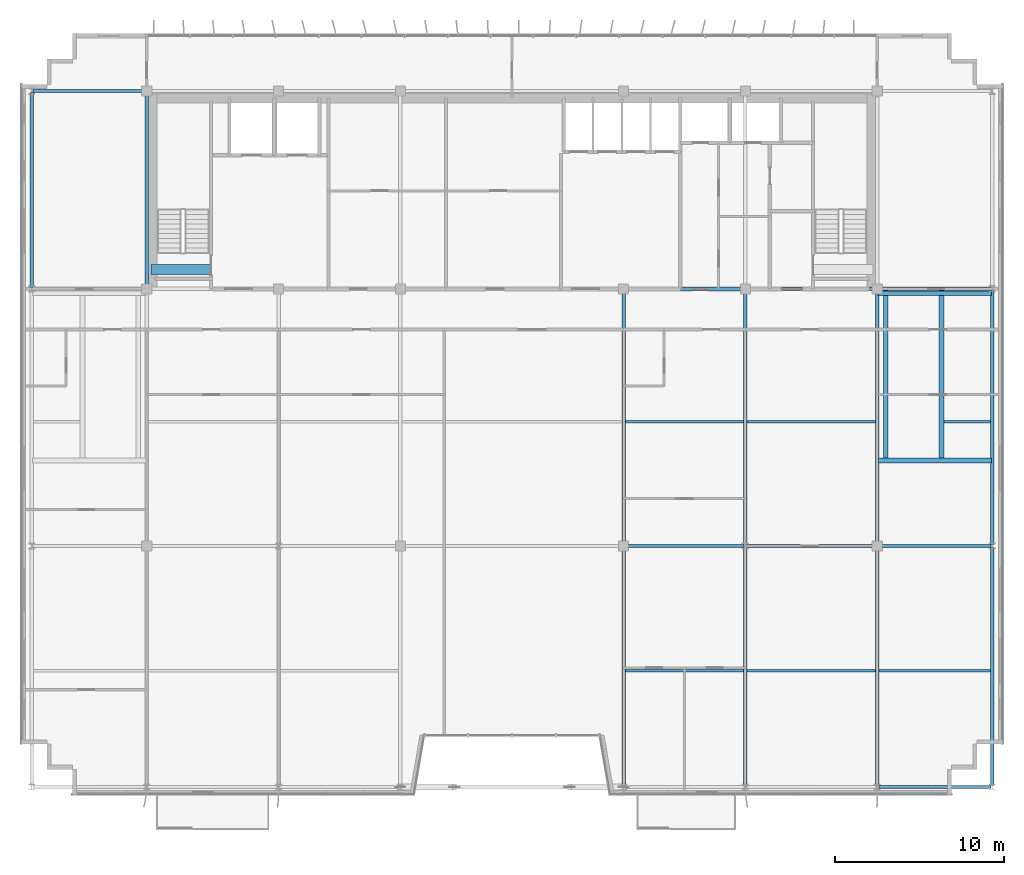
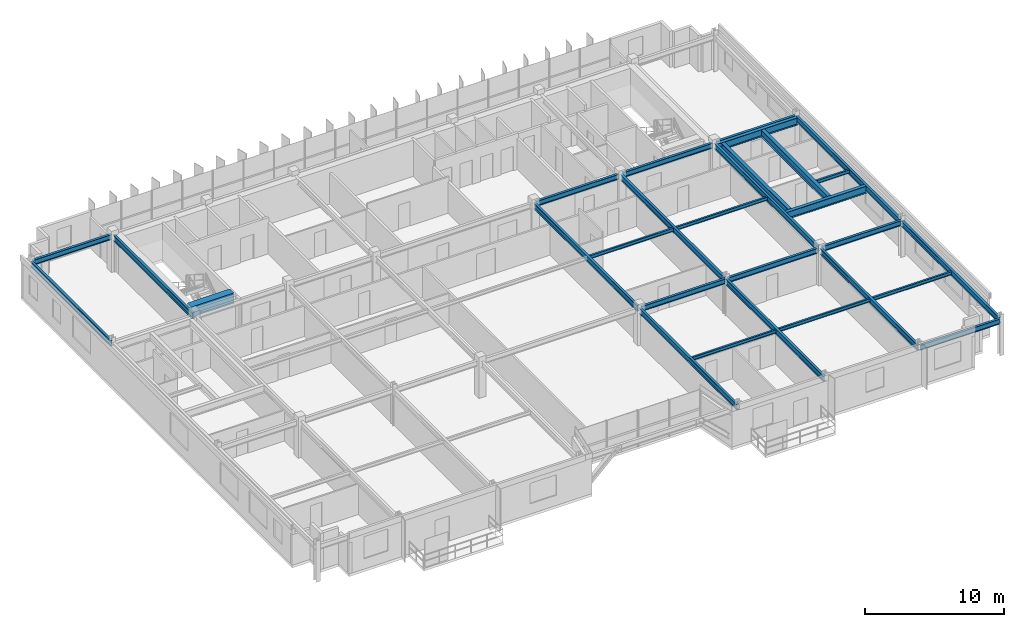
# One storey, part 9 of 26: 29 beams.
"""IFC4 building model written with IfcOpenShell, lengths in metres."""

from ifc_helpers import new_model, si_unit, direction, frame, origin, origin_2d, place, context, subcontext, project, spatial, rectangle, i_section, extrude, source, transform, mapped, material, material_profile, profile_set, type_object, element, save


model = new_model("IFC4")

# Units and contexts
model_context = context("Model", 3, precision=1e-05, world=origin(), true_north=direction((0.0, 1.0)))
body_context = subcontext(model_context, "Body", "Model", "MODEL_VIEW")
ifc_project = project(units=[si_unit("LENGTHUNIT", "METRE"), si_unit("AREAUNIT", "SQUARE_METRE"), si_unit("VOLUMEUNIT", "CUBIC_METRE"), si_unit("PLANEANGLEUNIT", "RADIAN"), si_unit("MASSUNIT", "GRAM", prefix="KILO")], contexts=[model_context])

# Site, building, storey
site_placement = place(None, origin())
site = spatial("IfcSite", under=ifc_project, at=site_placement, CompositionType="ELEMENT")
building_placement = place(site_placement, origin())
building = spatial("IfcBuilding", under=site, at=building_placement, Name="Trelvane Seafront Commons", CompositionType="ELEMENT")
storey_placement = place(building_placement, frame((0.0, 0.0, 291.89990234375)))
storey = spatial("IfcBuildingStorey", under=building, at=storey_placement, Name="L76", CompositionType="ELEMENT", Elevation=291.89990234375)

# Beams
ifc_material_1 = material(Name="Concrete C60/75", Category="concrete")
ifc_material_profile_1 = material_profile(ifc_material_1, rectangle(XDim=0.60009765625, YDim=0.89990234375, at=origin_2d()), Name="RC-600x900")
ifc_profile_set_1 = profile_set([ifc_material_profile_1], Name="Concrete C60/75")
beam_type_1 = type_object("IfcBeamType", Name="STR-LNT-RC600x900", PredefinedType="LINTEL", material=ifc_profile_set_1)
shared_shape_1 = source(origin(), body_context, "Body", "SweptSolid", [
    extrude(rectangle(XDim=0.60009765625, YDim=0.89990234375, at=origin_2d()), origin(), (0.0, 0.0, 1.0), 3.5498046875),
])
beam_1_placement = place(storey_placement, frame((15.85009765625, 34.550048828125, 2.72998046875), z_axis=(1.0, 0.0, 0.0), x_axis=(0.0, 1.0, 0.0)))
element("IfcBeam", 1, at=beam_1_placement, inside=storey, type_object=beam_type_1, Name="L76 Core Coupling Lintel Beam CB-66", PredefinedType="LINTEL", context=body_context, shape_type="MappedRepresentation", body=[
    mapped(shared_shape_1, transform((0.0, 0.0, 0.0), x_axis=(1.0, 0.0, 0.0), y_axis=(0.0, 1.0, 0.0), z_axis=(0.0, 0.0, 1.0), scale=1.0)),
])
ifc_material_2 = material(Name="Steel SM355 (S355)", Category="steel")
ifc_material_profile_2 = material_profile(ifc_material_2, i_section(OverallWidth=0.199951171875, OverallDepth=0.5, WebThickness=0.010009765625, FlangeThickness=0.01611328125, at=origin_2d()), Name="H-500x200x10x16")
ifc_profile_set_2 = profile_set([ifc_material_profile_2], Name="Steel SM355 (S355)")
beam_type_2 = type_object("IfcBeamType", Name="STR-BM-H500", PredefinedType="BEAM", material=ifc_profile_set_2)
shared_shape_2 = source(origin(), body_context, "Body", "SweptSolid", [
    extrude(i_section(OverallWidth=0.199951171875, OverallDepth=0.5, WebThickness=0.010009765625, FlangeThickness=0.01611328125, at=origin_2d()), origin(), (0.0, 0.0, 1.0), 14.89990234375),
])
for number, where, z_axis, x_axis, name in (
    (2, (43.800048828125, 18.35009765625, 2.93017578125), (0.0, 1.0, 0.0), (-1.0, 0.0, 0.0), "L76 Primary Girder G-42"),
    (3, (58.800048828125, 18.35009765625, 2.93017578125), (0.0, 1.0, 0.0), (-1.0, 0.0, 0.0), "L76 Primary Girder G-48"),
):
    element("IfcBeam", number, at=place(storey_placement, frame(where, z_axis=z_axis, x_axis=x_axis)), inside=storey, type_object=beam_type_2, Name=name, PredefinedType="BEAM", context=body_context, shape_type="MappedRepresentation", body=[
        mapped(shared_shape_2, transform((0.0, 0.0, 0.0), x_axis=(1.0, 0.0, 0.0), y_axis=(0.0, 1.0, 0.0), z_axis=(0.0, 0.0, 1.0), scale=1.0)),
    ])
shared_shape_3 = source(origin(), body_context, "Body", "SweptSolid", [
    extrude(i_section(OverallWidth=0.199951171875, OverallDepth=0.5, WebThickness=0.010009765625, FlangeThickness=0.01611328125, at=origin_2d()), origin(), (0.0, 0.0, 1.0), 11.39990234375),
])
beam_2_placement = place(storey_placement, frame((15.60009765625, 33.550048828125, 2.93017578125), z_axis=(0.0, 1.0, 0.0), x_axis=(-1.0, 0.0, 0.0)))
element("IfcBeam", 4, at=beam_2_placement, inside=storey, type_object=beam_type_2, Name="L76 Primary Girder G-34", PredefinedType="BEAM", context=body_context, shape_type="MappedRepresentation", body=[
    mapped(shared_shape_3, transform((0.0, 0.0, 0.0), x_axis=(1.0, 0.0, 0.0), y_axis=(0.0, 1.0, 0.0), z_axis=(0.0, 0.0, 1.0), scale=1.0)),
])
ifc_material_profile_3 = material_profile(ifc_material_2, i_section(OverallWidth=0.199951171875, OverallDepth=0.449951171875, WebThickness=0.009033203125, FlangeThickness=0.013916015625, at=origin_2d()), Name="H-450x200x9x14")
ifc_profile_set_3 = profile_set([ifc_material_profile_3], Name="Steel SM355 (S355)")
beam_type_3 = type_object("IfcBeamType", Name="STR-SPD-H450", PredefinedType="SPANDREL", material=ifc_profile_set_3)
shared_shape_4 = source(origin(), body_context, "Body", "SweptSolid", [
    extrude(i_section(OverallWidth=0.199951171875, OverallDepth=0.449951171875, WebThickness=0.009033203125, FlangeThickness=0.013916015625, at=origin_2d()), origin(), (0.0, 0.0, 1.0), 6.625),
])
beam_3_placement = place(storey_placement, frame((58.887451171875, 3.949951171875, 2.955078125), z_axis=(1.0, 0.0, 0.0), x_axis=(0.0, 1.0, 0.0)))
element("IfcBeam", 5, at=beam_3_placement, inside=storey, type_object=beam_type_3, Name="L76 Primary Girder G-07", PredefinedType="SPANDREL", context=body_context, shape_type="MappedRepresentation", body=[
    mapped(shared_shape_4, transform((0.0, 0.0, 0.0), x_axis=(1.0, 0.0, 0.0), y_axis=(0.0, 1.0, 0.0), z_axis=(0.0, 0.0, 1.0), scale=1.0)),
])
shared_shape_5 = source(origin(), body_context, "Body", "SweptSolid", [
    extrude(i_section(OverallWidth=0.199951171875, OverallDepth=0.449951171875, WebThickness=0.009033203125, FlangeThickness=0.013916015625, at=origin_2d()), origin(), (0.0, 0.0, 1.0), 6.5625),
])
for number, where, z_axis, x_axis, name in (
    (6, (58.949951171875, 18.199951171875, 2.955078125), (1.0, 0.0, 0.0), (0.0, 1.0, 0.0), "L76 Primary Girder G-14"),
    (7, (58.949951171875, 33.39990234375, 2.955078125), (1.0, 0.0, 0.0), (0.0, 1.0, 0.0), "L76 Primary Girder G-21"),
    (8, (8.887451171875, 45.10009765625, 2.955078125), (1.0, 0.0, 0.0), (0.0, 1.0, 0.0), "L76 Primary Girder G-22"),
):
    element("IfcBeam", number, at=place(storey_placement, frame(where, z_axis=z_axis, x_axis=x_axis)), inside=storey, type_object=beam_type_3, Name=name, PredefinedType="SPANDREL", context=body_context, shape_type="MappedRepresentation", body=[
        mapped(shared_shape_5, transform((0.0, 0.0, 0.0), x_axis=(1.0, 0.0, 0.0), y_axis=(0.0, 1.0, 0.0), z_axis=(0.0, 0.0, 1.0), scale=1.0)),
    ])
shared_shape_6 = source(origin(), body_context, "Body", "SweptSolid", [
    extrude(i_section(OverallWidth=0.199951171875, OverallDepth=0.449951171875, WebThickness=0.009033203125, FlangeThickness=0.013916015625, at=origin_2d()), origin(), (0.0, 0.0, 1.0), 7.5625),
])
beam_4_placement = place(storey_placement, frame((51.08740234375, 18.199951171875, 2.955078125), z_axis=(1.0, 0.0, 0.0), x_axis=(0.0, 1.0, 0.0)))
element("IfcBeam", 9, at=beam_4_placement, inside=storey, type_object=beam_type_3, Name="L76 Primary Girder G-13", PredefinedType="SPANDREL", context=body_context, shape_type="MappedRepresentation", body=[
    mapped(shared_shape_6, transform((0.0, 0.0, 0.0), x_axis=(1.0, 0.0, 0.0), y_axis=(0.0, 1.0, 0.0), z_axis=(0.0, 0.0, 1.0), scale=1.0)),
])
shared_shape_7 = source(origin(), body_context, "Body", "SweptSolid", [
    extrude(i_section(OverallWidth=0.199951171875, OverallDepth=0.449951171875, WebThickness=0.009033203125, FlangeThickness=0.013916015625, at=origin_2d()), origin(), (0.0, 0.0, 1.0), 6.962646484375),
])
beam_5_placement = place(storey_placement, frame((43.949951171875, 18.199951171875, 2.955078125), z_axis=(1.0, 0.0, 0.0), x_axis=(0.0, 1.0, 0.0)))
element("IfcBeam", 10, at=beam_5_placement, inside=storey, type_object=beam_type_3, Name="L76 Primary Girder G-12", PredefinedType="SPANDREL", context=body_context, shape_type="MappedRepresentation", body=[
    mapped(shared_shape_7, transform((0.0, 0.0, 0.0), x_axis=(1.0, 0.0, 0.0), y_axis=(0.0, 1.0, 0.0), z_axis=(0.0, 0.0, 1.0), scale=1.0)),
])
shared_shape_8 = source(origin(), body_context, "Body", "SweptSolid", [
    extrude(i_section(OverallWidth=0.199951171875, OverallDepth=0.449951171875, WebThickness=0.009033203125, FlangeThickness=0.013916015625, at=origin_2d()), origin(), (0.0, 0.0, 1.0), 7.5),
])
beam_6_placement = place(storey_placement, frame((51.14990234375, 33.39990234375, 2.955078125), z_axis=(1.0, 0.0, 0.0), x_axis=(0.0, 1.0, 0.0)))
element("IfcBeam", 11, at=beam_6_placement, inside=storey, type_object=beam_type_3, Name="L76 Primary Girder G-20", PredefinedType="SPANDREL", context=body_context, shape_type="MappedRepresentation", body=[
    mapped(shared_shape_8, transform((0.0, 0.0, 0.0), x_axis=(1.0, 0.0, 0.0), y_axis=(0.0, 1.0, 0.0), z_axis=(0.0, 0.0, 1.0), scale=1.0)),
])
shared_shape_9 = source(origin(), body_context, "Body", "SweptSolid", [
    extrude(i_section(OverallWidth=0.199951171875, OverallDepth=0.449951171875, WebThickness=0.009033203125, FlangeThickness=0.013916015625, at=origin_2d()), origin(), (0.0, 0.0, 1.0), 6.900146484375),
])
beam_7_placement = place(storey_placement, frame((43.949951171875, 33.39990234375, 2.955078125), z_axis=(1.0, 0.0, 0.0), x_axis=(0.0, 1.0, 0.0)))
element("IfcBeam", 12, at=beam_7_placement, inside=storey, type_object=beam_type_3, Name="L76 Primary Girder G-19", PredefinedType="SPANDREL", context=body_context, shape_type="MappedRepresentation", body=[
    mapped(shared_shape_9, transform((0.0, 0.0, 0.0), x_axis=(1.0, 0.0, 0.0), y_axis=(0.0, 1.0, 0.0), z_axis=(0.0, 0.0, 1.0), scale=1.0)),
])
shared_shape_10 = source(origin(), body_context, "Body", "SweptSolid", [
    extrude(i_section(OverallWidth=0.199951171875, OverallDepth=0.5, WebThickness=0.010009765625, FlangeThickness=0.01611328125, at=origin_2d()), origin(), (0.0, 0.0, 1.0), 14.074951171875),
])
for number, where, z_axis, x_axis, name in (
    (13, (51.0, 4.03759765625, 2.93017578125), (0.0, 1.0, 0.0), (-1.0, 0.0, 0.0), "L76 Primary Girder G-44"),
    (14, (65.60009765625, 4.03759765625, 2.93017578125), (0.0, 1.0, 0.0), (-1.0, 0.0, 0.0), "L76 Primary Girder G-50"),
):
    element("IfcBeam", number, at=place(storey_placement, frame(where, z_axis=z_axis, x_axis=x_axis)), inside=storey, type_object=beam_type_2, Name=name, PredefinedType="BEAM", context=body_context, shape_type="MappedRepresentation", body=[
        mapped(shared_shape_10, transform((0.0, 0.0, 0.0), x_axis=(1.0, 0.0, 0.0), y_axis=(0.0, 1.0, 0.0), z_axis=(0.0, 0.0, 1.0), scale=1.0)),
    ])
shared_shape_11 = source(origin(), body_context, "Body", "SweptSolid", [
    extrude(i_section(OverallWidth=0.199951171875, OverallDepth=0.5, WebThickness=0.010009765625, FlangeThickness=0.01611328125, at=origin_2d()), origin(), (0.0, 0.0, 1.0), 15.02490234375),
])
beam_8_placement = place(storey_placement, frame((65.60009765625, 18.28759765625, 2.93017578125), z_axis=(0.0, 1.0, 0.0), x_axis=(-1.0, 0.0, 0.0)))
element("IfcBeam", 15, at=beam_8_placement, inside=storey, type_object=beam_type_2, Name="L76 Primary Girder G-51", PredefinedType="BEAM", context=body_context, shape_type="MappedRepresentation", body=[
    mapped(shared_shape_11, transform((0.0, 0.0, 0.0), x_axis=(1.0, 0.0, 0.0), y_axis=(0.0, 1.0, 0.0), z_axis=(0.0, 0.0, 1.0), scale=1.0)),
])
shared_shape_12 = source(origin(), body_context, "Body", "SweptSolid", [
    extrude(i_section(OverallWidth=0.199951171875, OverallDepth=0.5, WebThickness=0.010009765625, FlangeThickness=0.01611328125, at=origin_2d()), origin(), (0.0, 0.0, 1.0), 11.52490234375),
])
beam_9_placement = place(storey_placement, frame((8.800048828125, 33.487548828125, 2.93017578125), z_axis=(0.0, 1.0, 0.0), x_axis=(-1.0, 0.0, 0.0)))
element("IfcBeam", 16, at=beam_9_placement, inside=storey, type_object=beam_type_2, Name="L76 Primary Girder G-31", PredefinedType="BEAM", context=body_context, shape_type="MappedRepresentation", body=[
    mapped(shared_shape_12, transform((0.0, 0.0, 0.0), x_axis=(1.0, 0.0, 0.0), y_axis=(0.0, 1.0, 0.0), z_axis=(0.0, 0.0, 1.0), scale=1.0)),
])
shared_shape_13 = source(origin(), body_context, "Body", "SweptSolid", [
    extrude(i_section(OverallWidth=0.199951171875, OverallDepth=0.5, WebThickness=0.010009765625, FlangeThickness=0.01611328125, at=origin_2d()), origin(), (0.0, 0.0, 1.0), 14.012451171875),
])
for number, where, z_axis, x_axis, name in (
    (17, (43.800048828125, 4.03759765625, 2.93017578125), (0.0, 1.0, 0.0), (-1.0, 0.0, 0.0), "L76 Primary Girder G-41"),
    (18, (58.800048828125, 4.03759765625, 2.93017578125), (0.0, 1.0, 0.0), (-1.0, 0.0, 0.0), "L76 Primary Girder G-47"),
):
    element("IfcBeam", number, at=place(storey_placement, frame(where, z_axis=z_axis, x_axis=x_axis)), inside=storey, type_object=beam_type_2, Name=name, PredefinedType="BEAM", context=body_context, shape_type="MappedRepresentation", body=[
        mapped(shared_shape_13, transform((0.0, 0.0, 0.0), x_axis=(1.0, 0.0, 0.0), y_axis=(0.0, 1.0, 0.0), z_axis=(0.0, 0.0, 1.0), scale=1.0)),
    ])
shared_shape_14 = source(origin(), body_context, "Body", "SweptSolid", [
    extrude(i_section(OverallWidth=0.199951171875, OverallDepth=0.5, WebThickness=0.010009765625, FlangeThickness=0.01611328125, at=origin_2d()), origin(), (0.0, 0.0, 1.0), 14.96240234375),
])
beam_10_placement = place(storey_placement, frame((51.0, 18.28759765625, 2.93017578125), z_axis=(0.0, 1.0, 0.0), x_axis=(-1.0, 0.0, 0.0)))
element("IfcBeam", 19, at=beam_10_placement, inside=storey, type_object=beam_type_2, Name="L76 Primary Girder G-45", PredefinedType="BEAM", context=body_context, shape_type="MappedRepresentation", body=[
    mapped(shared_shape_14, transform((0.0, 0.0, 0.0), x_axis=(1.0, 0.0, 0.0), y_axis=(0.0, 1.0, 0.0), z_axis=(0.0, 0.0, 1.0), scale=1.0)),
])
ifc_material_profile_4 = material_profile(ifc_material_2, i_section(OverallWidth=0.14990234375, OverallDepth=0.300048828125, WebThickness=0.006591796875, FlangeThickness=0.009033203125, at=origin_2d()), Name="H-300x150x6.5x9")
ifc_profile_set_4 = profile_set([ifc_material_profile_4], Name="Steel SM355 (S355)")
beam_type_4 = type_object("IfcBeamType", Name="STR-JST-H300", PredefinedType="JOIST", material=ifc_profile_set_4)
shared_shape_15 = source(origin(), body_context, "Body", "SweptSolid", [
    extrude(i_section(OverallWidth=0.14990234375, OverallDepth=0.300048828125, WebThickness=0.006591796875, FlangeThickness=0.009033203125, at=origin_2d()), origin(), (0.0, 0.0, 1.0), 6.60009765625),
])
beam_11_placement = place(storey_placement, frame((58.89990234375, 10.824951171875, 3.030029296875), z_axis=(1.0, 0.0, 0.0), x_axis=(0.0, 1.0, 0.0)))
element("IfcBeam", 20, at=beam_11_placement, inside=storey, type_object=beam_type_4, Name="L76 Secondary Floor Joist B-58", PredefinedType="JOIST", context=body_context, shape_type="MappedRepresentation", body=[
    mapped(shared_shape_15, transform((0.0, 0.0, 0.0), x_axis=(1.0, 0.0, 0.0), y_axis=(0.0, 1.0, 0.0), z_axis=(0.0, 0.0, 1.0), scale=1.0)),
])
shared_shape_16 = source(origin(), body_context, "Body", "SweptSolid", [
    extrude(i_section(OverallWidth=0.14990234375, OverallDepth=0.300048828125, WebThickness=0.006591796875, FlangeThickness=0.009033203125, at=origin_2d()), origin(), (0.0, 0.0, 1.0), 7.0),
])
for number, where, z_axis, x_axis, name in (
    (21, (43.89990234375, 10.824951171875, 3.030029296875), (1.0, 0.0, 0.0), (0.0, 1.0, 0.0), "L76 Secondary Floor Joist B-56"),
    (22, (43.89990234375, 25.550048828125, 3.030029296875), (1.0, 0.0, 0.0), (0.0, 1.0, 0.0), "L76 Secondary Floor Joist B-63"),
):
    element("IfcBeam", number, at=place(storey_placement, frame(where, z_axis=z_axis, x_axis=x_axis)), inside=storey, type_object=beam_type_4, Name=name, PredefinedType="JOIST", context=body_context, shape_type="MappedRepresentation", body=[
        mapped(shared_shape_16, transform((0.0, 0.0, 0.0), x_axis=(1.0, 0.0, 0.0), y_axis=(0.0, 1.0, 0.0), z_axis=(0.0, 0.0, 1.0), scale=1.0)),
    ])
shared_shape_17 = source(origin(), body_context, "Body", "SweptSolid", [
    extrude(i_section(OverallWidth=0.14990234375, OverallDepth=0.300048828125, WebThickness=0.006591796875, FlangeThickness=0.009033203125, at=origin_2d()), origin(), (0.0, 0.0, 1.0), 7.599853515625),
])
for number, where, z_axis, x_axis, name in (
    (23, (51.10009765625, 10.824951171875, 3.030029296875), (1.0, 0.0, 0.0), (0.0, 1.0, 0.0), "L76 Secondary Floor Joist B-57"),
    (24, (51.10009765625, 25.550048828125, 3.030029296875), (1.0, 0.0, 0.0), (0.0, 1.0, 0.0), "L76 Secondary Floor Joist B-64"),
):
    element("IfcBeam", number, at=place(storey_placement, frame(where, z_axis=z_axis, x_axis=x_axis)), inside=storey, type_object=beam_type_4, Name=name, PredefinedType="JOIST", context=body_context, shape_type="MappedRepresentation", body=[
        mapped(shared_shape_17, transform((0.0, 0.0, 0.0), x_axis=(1.0, 0.0, 0.0), y_axis=(0.0, 1.0, 0.0), z_axis=(0.0, 0.0, 1.0), scale=1.0)),
    ])
shared_shape_18 = source(origin(), body_context, "Body", "SweptSolid", [
    extrude(i_section(OverallWidth=0.14990234375, OverallDepth=0.300048828125, WebThickness=0.006591796875, FlangeThickness=0.009033203125, at=origin_2d()), origin(), (0.0, 0.0, 1.0), 2.760009765625),
])
beam_12_placement = place(storey_placement, frame((62.739990234375, 25.550048828125, 3.030029296875), z_axis=(1.0, 0.0, 0.0), x_axis=(0.0, 1.0, 0.0)))
element("IfcBeam", 25, at=beam_12_placement, inside=storey, type_object=beam_type_4, Name="L76 Secondary Floor Joist B-65", PredefinedType="JOIST", context=body_context, shape_type="MappedRepresentation", body=[
    mapped(shared_shape_18, transform((0.0, 0.0, 0.0), x_axis=(1.0, 0.0, 0.0), y_axis=(0.0, 1.0, 0.0), z_axis=(0.0, 0.0, 1.0), scale=1.0)),
])
ifc_material_profile_5 = material_profile(ifc_material_2, i_section(OverallWidth=0.280029296875, OverallDepth=0.64990234375, WebThickness=0.012939453125, FlangeThickness=0.02197265625, at=origin_2d()), Name="H-650x280x13x22")
ifc_profile_set_5 = profile_set([ifc_material_profile_5], Name="Steel SM355 (S355)")
beam_type_5 = type_object("IfcBeamType", Name="STR-BM-H650", PredefinedType="BEAM", material=ifc_profile_set_5)
shared_shape_19 = source(origin(), body_context, "Body", "SweptSolid", [
    extrude(i_section(OverallWidth=0.280029296875, OverallDepth=0.64990234375, WebThickness=0.012939453125, FlangeThickness=0.02197265625, at=origin_2d()), origin(), (0.0, 0.0, 1.0), 6.699951171875),
])
for number, where, z_axis, x_axis, name in (
    (26, (58.85009765625, 23.25, 2.85498046875), (1.0, 0.0, 0.0), (0.0, 1.0, 0.0), "L76 Crown Stair Support Girder G-70"),
    (27, (58.85009765625, 33.14990234375, 2.85498046875), (1.0, 0.0, 0.0), (0.0, 1.0, 0.0), "L76 Crown Stair Support Girder G-71"),
):
    element("IfcBeam", number, at=place(storey_placement, frame(where, z_axis=z_axis, x_axis=x_axis)), inside=storey, type_object=beam_type_5, Name=name, PredefinedType="BEAM", context=body_context, shape_type="MappedRepresentation", body=[
        mapped(shared_shape_19, transform((0.0, 0.0, 0.0), x_axis=(1.0, 0.0, 0.0), y_axis=(0.0, 1.0, 0.0), z_axis=(0.0, 0.0, 1.0), scale=1.0)),
    ])
shared_shape_20 = source(origin(), body_context, "Body", "SweptSolid", [
    extrude(i_section(OverallWidth=0.280029296875, OverallDepth=0.64990234375, WebThickness=0.012939453125, FlangeThickness=0.02197265625, at=origin_2d()), origin(), (0.0, 0.0, 1.0), 10.14990234375),
])
for number, where, z_axis, x_axis, name in (
    (28, (59.300048828125, 23.25, 2.85498046875), (0.0, 1.0, 0.0), (-1.0, 0.0, 0.0), "L76 Crown Stair N-S Support Girder G-74"),
    (29, (62.60009765625, 23.25, 2.85498046875), (0.0, 1.0, 0.0), (-1.0, 0.0, 0.0), "L76 Crown Stair N-S Support Girder G-75"),
):
    element("IfcBeam", number, at=place(storey_placement, frame(where, z_axis=z_axis, x_axis=x_axis)), inside=storey, type_object=beam_type_5, Name=name, PredefinedType="BEAM", context=body_context, shape_type="MappedRepresentation", body=[
        mapped(shared_shape_20, transform((0.0, 0.0, 0.0), x_axis=(1.0, 0.0, 0.0), y_axis=(0.0, 1.0, 0.0), z_axis=(0.0, 0.0, 1.0), scale=1.0)),
    ])

save(model, "model.ifc")
